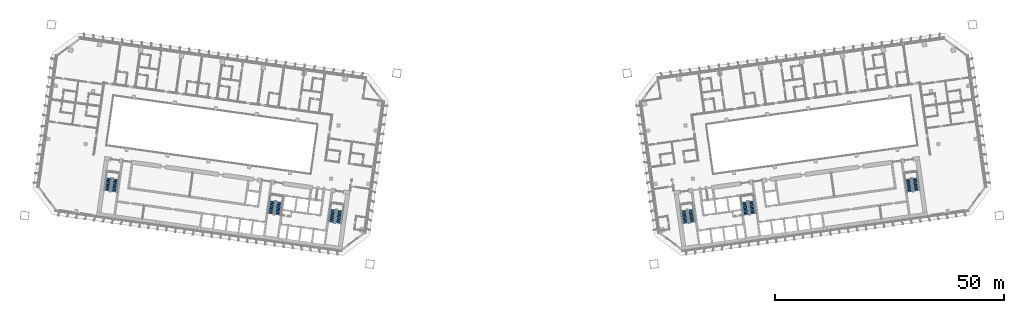
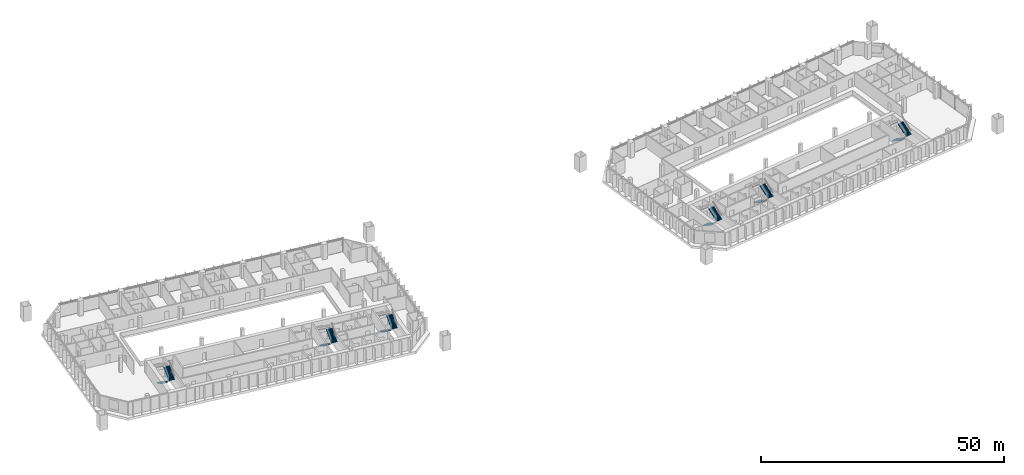
# One storey, part 23 of 25: 12 stair flights, 6 elements without a shape of their own.
"""IFC4 building model written with IfcOpenShell, lengths in metres."""

from ifc_helpers import new_model, si_unit, direction, frame, origin, place, context, subcontext, project, spatial, polyline, outline, extrude, material, type_object, element, aggregate, save


model = new_model("IFC4")

# Units and contexts
model_context = context("Model", 3, precision=1e-05, world=origin(), true_north=direction((0.0, 1.0)))
body_context = subcontext(model_context, "Body", "Model", "MODEL_VIEW")
ifc_project = project(units=[si_unit("LENGTHUNIT", "METRE"), si_unit("AREAUNIT", "SQUARE_METRE"), si_unit("VOLUMEUNIT", "CUBIC_METRE"), si_unit("PLANEANGLEUNIT", "RADIAN"), si_unit("MASSUNIT", "GRAM", prefix="KILO")], contexts=[model_context])

# Site, building, storey
site_placement = place(None, origin())
site = spatial("IfcSite", under=ifc_project, at=site_placement, CompositionType="ELEMENT")
building_placement = place(site_placement, origin())
building = spatial("IfcBuilding", under=site, at=building_placement, Name="Mirante Cascada Hotel Towers", CompositionType="ELEMENT")
storey_placement = place(building_placement, frame((0.0, 0.0, 58.5)))
storey = spatial("IfcBuildingStorey", under=building, at=storey_placement, Name="L11", CompositionType="ELEMENT", Elevation=58.5)

# Stair, stair flights
ifc_material_1 = material(Name="Concrete C35/45", Category="concrete")
stair_type = type_object("IfcStairType", Name="Exit stair half-turn 1350 concrete C35/45", PredefinedType="HALF_TURN_STAIR", material=ifc_material_1)
stair_1_placement = place(storey_placement, origin())
stair_1 = element("IfcStair", 1, at=stair_1_placement, inside=storey, type_object=stair_type, Name="L11 Exit stair A", PredefinedType="HALF_TURN_STAIR")
ifc_material_2 = material(Name="Concrete C35/45", Category="concrete")
stair_flight_type = type_object("IfcStairFlightType", Name="Exit stair flight 1350 concrete C35/45", PredefinedType="STRAIGHT", material=ifc_material_2)
stair_flight_1_placement = place(storey_placement, frame((-38.9417, -11.195, 0.0), z_axis=(0.0, 0.0, 1.0), x_axis=(-0.1391731, -0.9902681, 0.0)))
stair_flight_1 = element("IfcStairFlight", 2, at=stair_flight_1_placement, type_object=stair_flight_type, Name="ST1-A flight 1", NumberOfRisers=11, NumberOfTreads=10, PredefinedType="STRAIGHT", RiserHeight=0.172727273, TreadLength=0.28, context=body_context, shape_type="SweptSolid", body=[
    extrude(outline(polyline([(0.0, 0.0), (0.0, 0.1727), (0.28, 0.1727), (0.28, 0.3455), (0.56, 0.3455), (0.56, 0.5182), (0.84, 0.5182), (0.84, 0.6909), (1.12, 0.6909), (1.12, 0.8636), (1.4, 0.8636), (1.4, 1.0364), (1.68, 1.0364), (1.68, 1.2091), (1.96, 1.2091), (1.96, 1.3818), (2.24, 1.3818), (2.24, 1.5545), (2.52, 1.5545), (2.52, 1.7273), (2.8, 1.7273), (2.8, 1.9), (2.8, 1.551), (0.2857, 0.0), (0.0, 0.0)])), frame((0.0, 0.675, 0.0), z_axis=(0.0, -1.0, 0.0), x_axis=(1.0, 0.0, 0.0)), (0.0, 0.0, 1.0), 1.35),
])
stair_flight_2_placement = place(storey_placement, frame((-37.846, -14.1765, 1.9), z_axis=(0.0, 0.0, 1.0), x_axis=(0.1391731, 0.9902681, 0.0)))
stair_flight_2 = element("IfcStairFlight", 3, at=stair_flight_2_placement, type_object=stair_flight_type, Name="ST1-A flight 2", NumberOfRisers=11, NumberOfTreads=10, PredefinedType="STRAIGHT", RiserHeight=0.172727273, TreadLength=0.28, context=body_context, shape_type="SweptSolid", body=[
    extrude(outline(polyline([(0.0, 0.0), (0.0, 0.1727), (0.28, 0.1727), (0.28, 0.3455), (0.56, 0.3455), (0.56, 0.5182), (0.84, 0.5182), (0.84, 0.6909), (1.12, 0.6909), (1.12, 0.8636), (1.4, 0.8636), (1.4, 1.0364), (1.68, 1.0364), (1.68, 1.2091), (1.96, 1.2091), (1.96, 1.3818), (2.24, 1.3818), (2.24, 1.5545), (2.52, 1.5545), (2.52, 1.7273), (2.8, 1.7273), (2.8, 1.9), (2.8, 1.551), (0.2857, 0.0), (0.0, 0.0)])), frame((0.0, 0.675, 0.0), z_axis=(0.0, -1.0, 0.0), x_axis=(1.0, 0.0, 0.0)), (0.0, 0.0, 1.0), 1.35),
])
aggregate(stair_1, [stair_flight_1, stair_flight_2])

stair_2_placement = place(storey_placement, origin())
stair_2 = element("IfcStair", 4, at=stair_2_placement, inside=storey, type_object=stair_type, Name="L11 Exit stair B", PredefinedType="HALF_TURN_STAIR")
stair_flight_3_placement = place(storey_placement, frame((-52.1618, -9.3371, 0.0), z_axis=(0.0, 0.0, 1.0), x_axis=(-0.1391731, -0.9902681, 0.0)))
stair_flight_3 = element("IfcStairFlight", 5, at=stair_flight_3_placement, type_object=stair_flight_type, Name="ST1-B flight 1", NumberOfRisers=11, NumberOfTreads=10, PredefinedType="STRAIGHT", RiserHeight=0.172727273, TreadLength=0.28, context=body_context, shape_type="SweptSolid", body=[
    extrude(outline(polyline([(0.0, 0.0), (0.0, 0.1727), (0.28, 0.1727), (0.28, 0.3455), (0.56, 0.3455), (0.56, 0.5182), (0.84, 0.5182), (0.84, 0.6909), (1.12, 0.6909), (1.12, 0.8636), (1.4, 0.8636), (1.4, 1.0364), (1.68, 1.0364), (1.68, 1.2091), (1.96, 1.2091), (1.96, 1.3818), (2.24, 1.3818), (2.24, 1.5545), (2.52, 1.5545), (2.52, 1.7273), (2.8, 1.7273), (2.8, 1.9), (2.8, 1.551), (0.2857, 0.0), (0.0, 0.0)])), frame((0.0, 0.675, 0.0), z_axis=(0.0, -1.0, 0.0), x_axis=(1.0, 0.0, 0.0)), (0.0, 0.0, 1.0), 1.35),
])
stair_flight_4_placement = place(storey_placement, frame((-51.0661, -12.3186, 1.9), z_axis=(0.0, 0.0, 1.0), x_axis=(0.1391731, 0.9902681, 0.0)))
stair_flight_4 = element("IfcStairFlight", 6, at=stair_flight_4_placement, type_object=stair_flight_type, Name="ST1-B flight 2", NumberOfRisers=11, NumberOfTreads=10, PredefinedType="STRAIGHT", RiserHeight=0.172727273, TreadLength=0.28, context=body_context, shape_type="SweptSolid", body=[
    extrude(outline(polyline([(0.0, 0.0), (0.0, 0.1727), (0.28, 0.1727), (0.28, 0.3455), (0.56, 0.3455), (0.56, 0.5182), (0.84, 0.5182), (0.84, 0.6909), (1.12, 0.6909), (1.12, 0.8636), (1.4, 0.8636), (1.4, 1.0364), (1.68, 1.0364), (1.68, 1.2091), (1.96, 1.2091), (1.96, 1.3818), (2.24, 1.3818), (2.24, 1.5545), (2.52, 1.5545), (2.52, 1.7273), (2.8, 1.7273), (2.8, 1.9), (2.8, 1.551), (0.2857, 0.0), (0.0, 0.0)])), frame((0.0, 0.675, 0.0), z_axis=(0.0, -1.0, 0.0), x_axis=(1.0, 0.0, 0.0)), (0.0, 0.0, 1.0), 1.35),
])
aggregate(stair_2, [stair_flight_3, stair_flight_4])

stair_3_placement = place(storey_placement, origin())
stair_3 = element("IfcStair", 7, at=stair_3_placement, inside=storey, type_object=stair_type, Name="L11 Exit stair C", PredefinedType="HALF_TURN_STAIR")
stair_flight_5_placement = place(storey_placement, frame((-87.8115, -4.3268, 0.0), z_axis=(0.0, 0.0, 1.0), x_axis=(-0.1391731, -0.9902681, 0.0)))
stair_flight_5 = element("IfcStairFlight", 8, at=stair_flight_5_placement, type_object=stair_flight_type, Name="ST1-C flight 1", NumberOfRisers=11, NumberOfTreads=10, PredefinedType="STRAIGHT", RiserHeight=0.172727273, TreadLength=0.28, context=body_context, shape_type="SweptSolid", body=[
    extrude(outline(polyline([(0.0, 0.0), (0.0, 0.1727), (0.28, 0.1727), (0.28, 0.3455), (0.56, 0.3455), (0.56, 0.5182), (0.84, 0.5182), (0.84, 0.6909), (1.12, 0.6909), (1.12, 0.8636), (1.4, 0.8636), (1.4, 1.0364), (1.68, 1.0364), (1.68, 1.2091), (1.96, 1.2091), (1.96, 1.3818), (2.24, 1.3818), (2.24, 1.5545), (2.52, 1.5545), (2.52, 1.7273), (2.8, 1.7273), (2.8, 1.9), (2.8, 1.551), (0.2857, 0.0), (0.0, 0.0)])), frame((0.0, 0.675, 0.0), z_axis=(0.0, -1.0, 0.0), x_axis=(1.0, 0.0, 0.0)), (0.0, 0.0, 1.0), 1.35),
])
stair_flight_6_placement = place(storey_placement, frame((-86.7157, -7.3084, 1.9), z_axis=(0.0, 0.0, 1.0), x_axis=(0.1391731, 0.9902681, 0.0)))
stair_flight_6 = element("IfcStairFlight", 9, at=stair_flight_6_placement, type_object=stair_flight_type, Name="ST1-C flight 2", NumberOfRisers=11, NumberOfTreads=10, PredefinedType="STRAIGHT", RiserHeight=0.172727273, TreadLength=0.28, context=body_context, shape_type="SweptSolid", body=[
    extrude(outline(polyline([(0.0, 0.0), (0.0, 0.1727), (0.28, 0.1727), (0.28, 0.3455), (0.56, 0.3455), (0.56, 0.5182), (0.84, 0.5182), (0.84, 0.6909), (1.12, 0.6909), (1.12, 0.8636), (1.4, 0.8636), (1.4, 1.0364), (1.68, 1.0364), (1.68, 1.2091), (1.96, 1.2091), (1.96, 1.3818), (2.24, 1.3818), (2.24, 1.5545), (2.52, 1.5545), (2.52, 1.7273), (2.8, 1.7273), (2.8, 1.9), (2.8, 1.551), (0.2857, 0.0), (0.0, 0.0)])), frame((0.0, 0.675, 0.0), z_axis=(0.0, -1.0, 0.0), x_axis=(1.0, 0.0, 0.0)), (0.0, 0.0, 1.0), 1.35),
])
aggregate(stair_3, [stair_flight_5, stair_flight_6])

stair_4_placement = place(storey_placement, origin())
stair_4 = element("IfcStair", 10, at=stair_4_placement, inside=storey, type_object=stair_type, Name="L11 Exit stair A", PredefinedType="HALF_TURN_STAIR")
stair_flight_7_placement = place(storey_placement, frame((37.4563, -11.4038, 0.0), z_axis=(0.0, 0.0, 1.0), x_axis=(0.1391731, -0.9902681, 0.0)))
stair_flight_7 = element("IfcStairFlight", 11, at=stair_flight_7_placement, type_object=stair_flight_type, Name="ST2-A flight 1", NumberOfRisers=11, NumberOfTreads=10, PredefinedType="STRAIGHT", RiserHeight=0.172727273, TreadLength=0.28, context=body_context, shape_type="SweptSolid", body=[
    extrude(outline(polyline([(0.0, 0.0), (0.0, 0.1727), (0.28, 0.1727), (0.28, 0.3455), (0.56, 0.3455), (0.56, 0.5182), (0.84, 0.5182), (0.84, 0.6909), (1.12, 0.6909), (1.12, 0.8636), (1.4, 0.8636), (1.4, 1.0364), (1.68, 1.0364), (1.68, 1.2091), (1.96, 1.2091), (1.96, 1.3818), (2.24, 1.3818), (2.24, 1.5545), (2.52, 1.5545), (2.52, 1.7273), (2.8, 1.7273), (2.8, 1.9), (2.8, 1.551), (0.2857, 0.0), (0.0, 0.0)])), frame((0.0, 0.675, 0.0), z_axis=(0.0, -1.0, 0.0), x_axis=(1.0, 0.0, 0.0)), (0.0, 0.0, 1.0), 1.35),
])
stair_flight_8_placement = place(storey_placement, frame((39.3314, -13.9678, 1.9), z_axis=(0.0, 0.0, 1.0), x_axis=(-0.1391731, 0.9902681, 0.0)))
stair_flight_8 = element("IfcStairFlight", 12, at=stair_flight_8_placement, type_object=stair_flight_type, Name="ST2-A flight 2", NumberOfRisers=11, NumberOfTreads=10, PredefinedType="STRAIGHT", RiserHeight=0.172727273, TreadLength=0.28, context=body_context, shape_type="SweptSolid", body=[
    extrude(outline(polyline([(0.0, 0.0), (0.0, 0.1727), (0.28, 0.1727), (0.28, 0.3455), (0.56, 0.3455), (0.56, 0.5182), (0.84, 0.5182), (0.84, 0.6909), (1.12, 0.6909), (1.12, 0.8636), (1.4, 0.8636), (1.4, 1.0364), (1.68, 1.0364), (1.68, 1.2091), (1.96, 1.2091), (1.96, 1.3818), (2.24, 1.3818), (2.24, 1.5545), (2.52, 1.5545), (2.52, 1.7273), (2.8, 1.7273), (2.8, 1.9), (2.8, 1.551), (0.2857, 0.0), (0.0, 0.0)])), frame((0.0, 0.675, 0.0), z_axis=(0.0, -1.0, 0.0), x_axis=(1.0, 0.0, 0.0)), (0.0, 0.0, 1.0), 1.35),
])
aggregate(stair_4, [stair_flight_7, stair_flight_8])

stair_5_placement = place(storey_placement, origin())
stair_5 = element("IfcStair", 13, at=stair_5_placement, inside=storey, type_object=stair_type, Name="L11 Exit stair B", PredefinedType="HALF_TURN_STAIR")
stair_flight_9_placement = place(storey_placement, frame((50.6764, -9.5458, 0.0), z_axis=(0.0, 0.0, 1.0), x_axis=(0.1391731, -0.9902681, 0.0)))
stair_flight_9 = element("IfcStairFlight", 14, at=stair_flight_9_placement, type_object=stair_flight_type, Name="ST2-B flight 1", NumberOfRisers=11, NumberOfTreads=10, PredefinedType="STRAIGHT", RiserHeight=0.172727273, TreadLength=0.28, context=body_context, shape_type="SweptSolid", body=[
    extrude(outline(polyline([(0.0, 0.0), (0.0, 0.1727), (0.28, 0.1727), (0.28, 0.3455), (0.56, 0.3455), (0.56, 0.5182), (0.84, 0.5182), (0.84, 0.6909), (1.12, 0.6909), (1.12, 0.8636), (1.4, 0.8636), (1.4, 1.0364), (1.68, 1.0364), (1.68, 1.2091), (1.96, 1.2091), (1.96, 1.3818), (2.24, 1.3818), (2.24, 1.5545), (2.52, 1.5545), (2.52, 1.7273), (2.8, 1.7273), (2.8, 1.9), (2.8, 1.551), (0.2857, 0.0), (0.0, 0.0)])), frame((0.0, 0.675, 0.0), z_axis=(0.0, -1.0, 0.0), x_axis=(1.0, 0.0, 0.0)), (0.0, 0.0, 1.0), 1.35),
])
stair_flight_10_placement = place(storey_placement, frame((52.5515, -12.1098, 1.9), z_axis=(0.0, 0.0, 1.0), x_axis=(-0.1391731, 0.9902681, 0.0)))
stair_flight_10 = element("IfcStairFlight", 15, at=stair_flight_10_placement, type_object=stair_flight_type, Name="ST2-B flight 2", NumberOfRisers=11, NumberOfTreads=10, PredefinedType="STRAIGHT", RiserHeight=0.172727273, TreadLength=0.28, context=body_context, shape_type="SweptSolid", body=[
    extrude(outline(polyline([(0.0, 0.0), (0.0, 0.1727), (0.28, 0.1727), (0.28, 0.3455), (0.56, 0.3455), (0.56, 0.5182), (0.84, 0.5182), (0.84, 0.6909), (1.12, 0.6909), (1.12, 0.8636), (1.4, 0.8636), (1.4, 1.0364), (1.68, 1.0364), (1.68, 1.2091), (1.96, 1.2091), (1.96, 1.3818), (2.24, 1.3818), (2.24, 1.5545), (2.52, 1.5545), (2.52, 1.7273), (2.8, 1.7273), (2.8, 1.9), (2.8, 1.551), (0.2857, 0.0), (0.0, 0.0)])), frame((0.0, 0.675, 0.0), z_axis=(0.0, -1.0, 0.0), x_axis=(1.0, 0.0, 0.0)), (0.0, 0.0, 1.0), 1.35),
])
aggregate(stair_5, [stair_flight_9, stair_flight_10])

stair_6_placement = place(storey_placement, origin())
stair_6 = element("IfcStair", 16, at=stair_6_placement, inside=storey, type_object=stair_type, Name="L11 Exit stair C", PredefinedType="HALF_TURN_STAIR")
stair_flight_11_placement = place(storey_placement, frame((86.326, -4.5356, 0.0), z_axis=(0.0, 0.0, 1.0), x_axis=(0.1391731, -0.9902681, 0.0)))
stair_flight_11 = element("IfcStairFlight", 17, at=stair_flight_11_placement, type_object=stair_flight_type, Name="ST2-C flight 1", NumberOfRisers=11, NumberOfTreads=10, PredefinedType="STRAIGHT", RiserHeight=0.172727273, TreadLength=0.28, context=body_context, shape_type="SweptSolid", body=[
    extrude(outline(polyline([(0.0, 0.0), (0.0, 0.1727), (0.28, 0.1727), (0.28, 0.3455), (0.56, 0.3455), (0.56, 0.5182), (0.84, 0.5182), (0.84, 0.6909), (1.12, 0.6909), (1.12, 0.8636), (1.4, 0.8636), (1.4, 1.0364), (1.68, 1.0364), (1.68, 1.2091), (1.96, 1.2091), (1.96, 1.3818), (2.24, 1.3818), (2.24, 1.5545), (2.52, 1.5545), (2.52, 1.7273), (2.8, 1.7273), (2.8, 1.9), (2.8, 1.551), (0.2857, 0.0), (0.0, 0.0)])), frame((0.0, 0.675, 0.0), z_axis=(0.0, -1.0, 0.0), x_axis=(1.0, 0.0, 0.0)), (0.0, 0.0, 1.0), 1.35),
])
stair_flight_12_placement = place(storey_placement, frame((88.2011, -7.0996, 1.9), z_axis=(0.0, 0.0, 1.0), x_axis=(-0.1391731, 0.9902681, 0.0)))
stair_flight_12 = element("IfcStairFlight", 18, at=stair_flight_12_placement, type_object=stair_flight_type, Name="ST2-C flight 2", NumberOfRisers=11, NumberOfTreads=10, PredefinedType="STRAIGHT", RiserHeight=0.172727273, TreadLength=0.28, context=body_context, shape_type="SweptSolid", body=[
    extrude(outline(polyline([(0.0, 0.0), (0.0, 0.1727), (0.28, 0.1727), (0.28, 0.3455), (0.56, 0.3455), (0.56, 0.5182), (0.84, 0.5182), (0.84, 0.6909), (1.12, 0.6909), (1.12, 0.8636), (1.4, 0.8636), (1.4, 1.0364), (1.68, 1.0364), (1.68, 1.2091), (1.96, 1.2091), (1.96, 1.3818), (2.24, 1.3818), (2.24, 1.5545), (2.52, 1.5545), (2.52, 1.7273), (2.8, 1.7273), (2.8, 1.9), (2.8, 1.551), (0.2857, 0.0), (0.0, 0.0)])), frame((0.0, 0.675, 0.0), z_axis=(0.0, -1.0, 0.0), x_axis=(1.0, 0.0, 0.0)), (0.0, 0.0, 1.0), 1.35),
])
aggregate(stair_6, [stair_flight_11, stair_flight_12])

save(model, "model.ifc")
